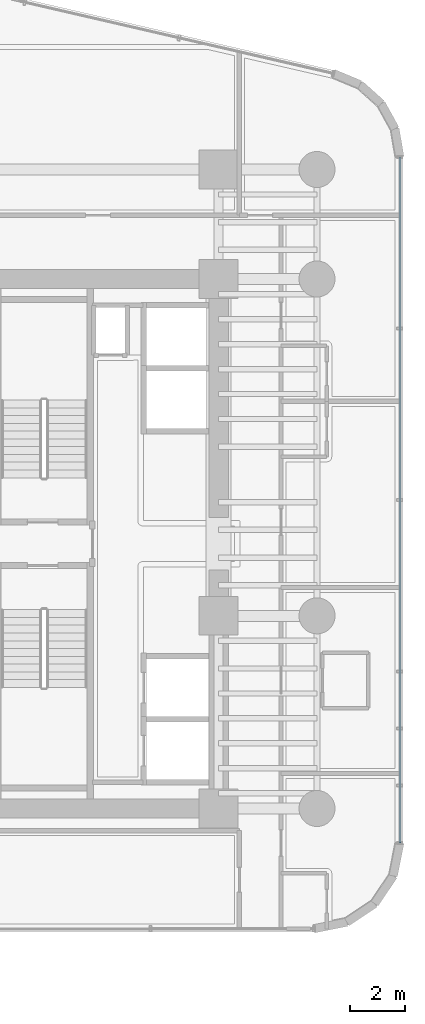
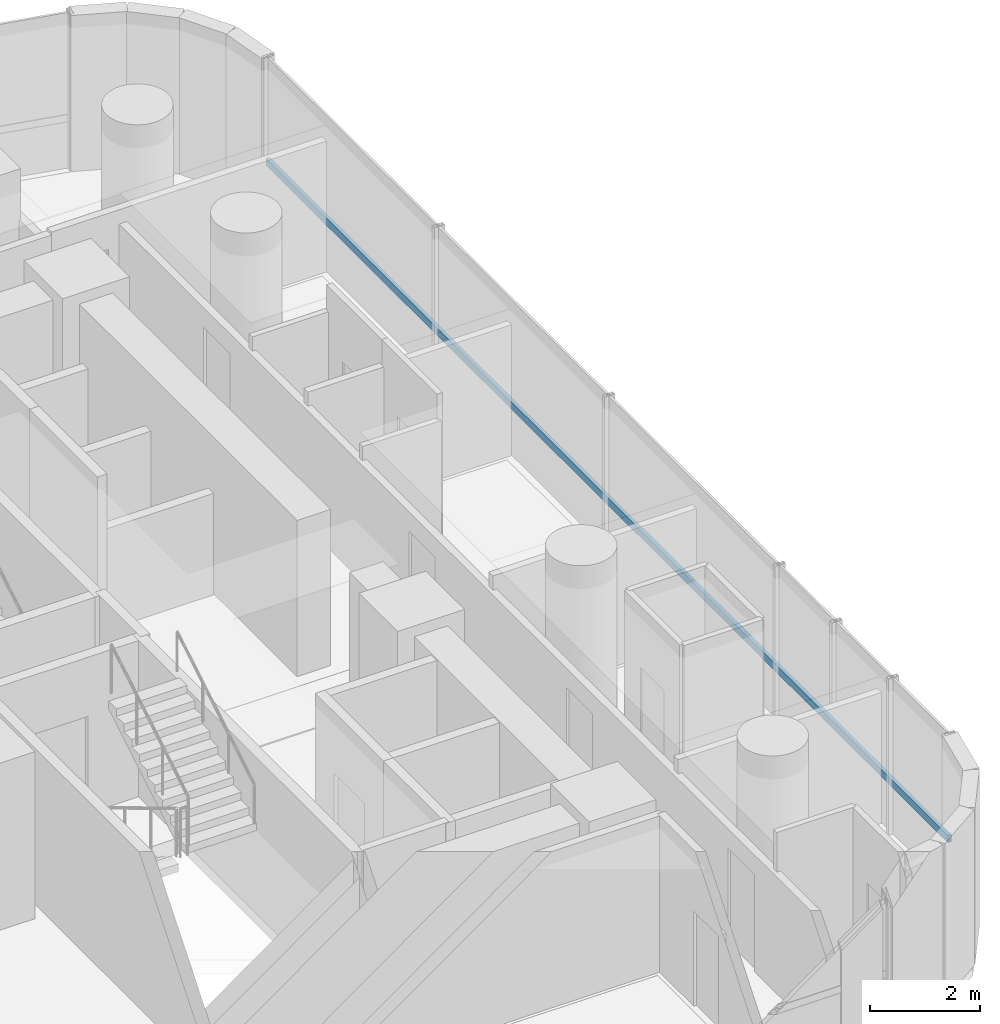
# One storey, part 25 of 39: 1 member, 1 element without a shape of its own.
"""IFC4 building model written with IfcOpenShell, lengths in metres."""

from ifc_helpers import new_model, si_unit, direction, frame, origin, origin_2d, place, context, subcontext, project, spatial, hollow_rectangle, extrude, source, transform, mapped, material, material_profile, profile_set, type_object, element, aggregate, save


model = new_model("IFC4")

# Units and contexts
model_context = context("Model", 3, precision=1e-05, world=origin(), true_north=direction((0.0, 1.0)))
body_context = subcontext(model_context, "Body", "Model", "MODEL_VIEW")
ifc_project = project(units=[si_unit("LENGTHUNIT", "METRE"), si_unit("AREAUNIT", "SQUARE_METRE"), si_unit("VOLUMEUNIT", "CUBIC_METRE"), si_unit("PLANEANGLEUNIT", "RADIAN"), si_unit("MASSUNIT", "GRAM", prefix="KILO")], contexts=[model_context])

# Site, building, storey
site_placement = place(None, origin())
site = spatial("IfcSite", under=ifc_project, at=site_placement, CompositionType="ELEMENT")
building_placement = place(site_placement, origin())
building = spatial("IfcBuilding", under=site, at=building_placement, Name="Valdorenza Pilgrim Sanctuary Tower", CompositionType="ELEMENT")
storey_placement = place(building_placement, frame((0.0, 0.0, 74.10009765625)))
storey = spatial("IfcBuildingStorey", under=building, at=storey_placement, Name="L18", CompositionType="ELEMENT", Elevation=74.10009765625)

# Curtain wall, member
ifc_material_1 = material(Name="Curtain-wall IGU glazing", Category="glass")
curtain_wall_type = type_object("IfcCurtainWallType", Name="CW-SYS-03", PredefinedType="NOTDEFINED", material=ifc_material_1)
curtain_wall_placement = place(storey_placement, origin())
curtain_wall = element("IfcCurtainWall", 1, at=curtain_wall_placement, inside=storey, type_object=curtain_wall_type, Name="L18 Curtain Wall CW-L18-1-21", PredefinedType="NOTDEFINED")
ifc_material_2 = material(Name="Anodised aluminium AW-6060", Category="aluminium")
ifc_material_profile = material_profile(ifc_material_2, hollow_rectangle(XDim=0.074951171875, YDim=0.159912109375, WallThickness=0.00390625, at=origin_2d()), Name="ALU-T 160x75x4")
ifc_profile_set = profile_set([ifc_material_profile], Name="Anodised aluminium AW-6060")
member_type = type_object("IfcMemberType", Name="CW-TRN-03", PredefinedType="USERDEFINED", material=ifc_profile_set)
shared_shape = source(origin(), body_context, "Body", "SweptSolid", [
    extrude(hollow_rectangle(XDim=0.074951171875, YDim=0.159912109375, WallThickness=0.00390625, at=origin_2d()), origin(), (0.0, 0.0, 1.0), 24.734375),
])
member_placement = place(storey_placement, frame((31.389892578125, 13.945068359375, 1.119873046875), z_axis=(0.0, -1.0, 0.0), x_axis=(1.0, 0.0, 0.0)))
member = element("IfcMember", 2, at=member_placement, type_object=member_type, Name="CW-L18-1-21 Transom 1", ObjectType="TRANSOM", PredefinedType="USERDEFINED", context=body_context, shape_type="MappedRepresentation", body=[
    mapped(shared_shape, transform((0.0, 0.0, 0.0), x_axis=(1.0, 0.0, 0.0), y_axis=(0.0, 1.0, 0.0), z_axis=(0.0, 0.0, 1.0), scale=1.0)),
])
aggregate(curtain_wall, [member])

save(model, "model.ifc")
